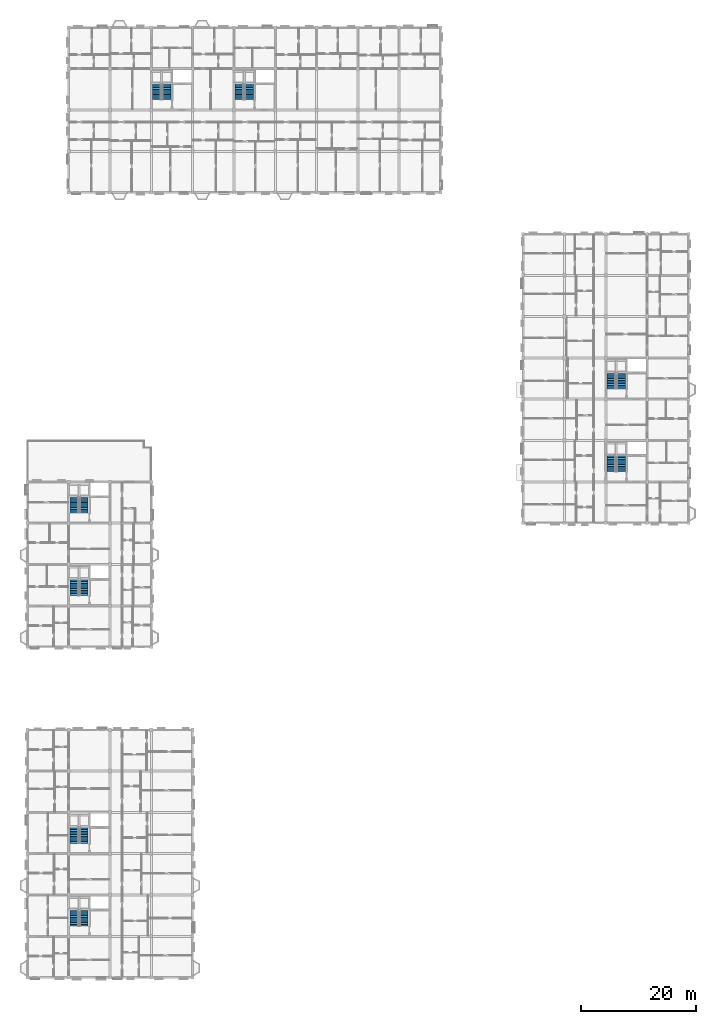
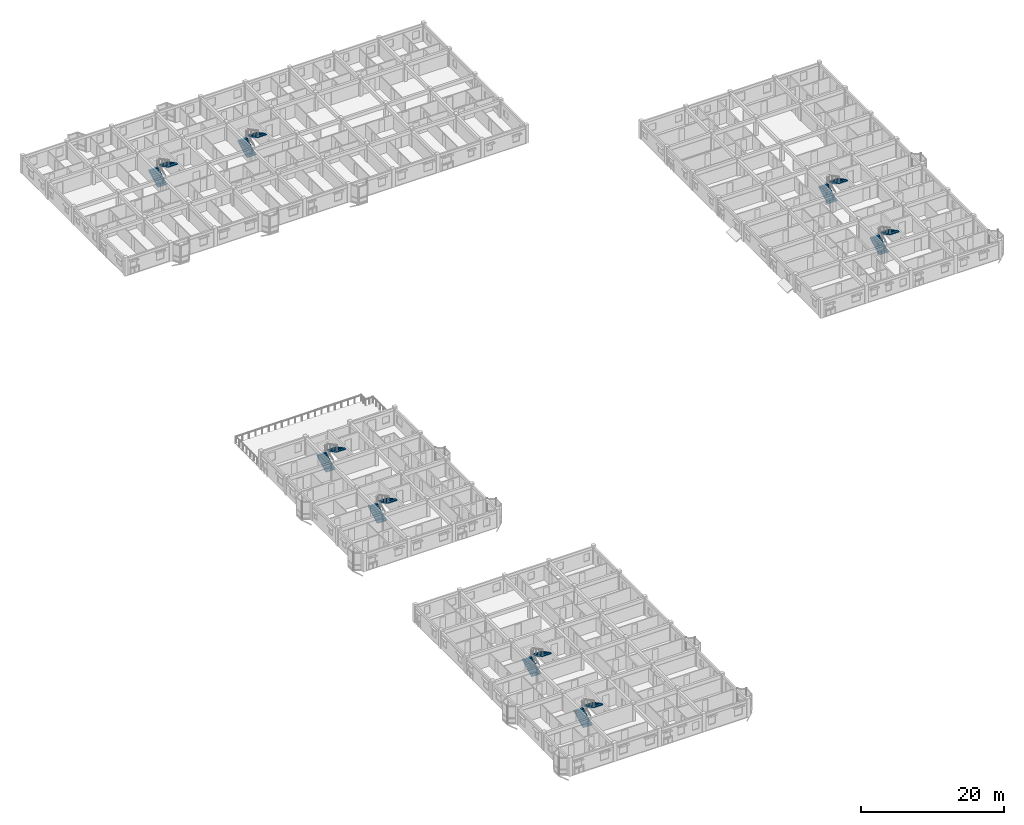
# One storey, part 68 of 75: 16 stair flights, 8 elements without a shape of their own.
"""IFC4 building model written with IfcOpenShell, lengths in metres."""

from ifc_helpers import new_model, si_unit, direction, frame, origin, place, context, subcontext, project, spatial, polyline, outline, extrude, material, type_object, element, aggregate, save


model = new_model("IFC4")

# Units and contexts
model_context = context("Model", 3, precision=1e-05, world=origin(), true_north=direction((0.0, 1.0)))
body_context = subcontext(model_context, "Body", "Model", "MODEL_VIEW")
ifc_project = project(units=[si_unit("LENGTHUNIT", "METRE"), si_unit("AREAUNIT", "SQUARE_METRE"), si_unit("VOLUMEUNIT", "CUBIC_METRE"), si_unit("PLANEANGLEUNIT", "RADIAN"), si_unit("MASSUNIT", "GRAM", prefix="KILO"), si_unit("THERMODYNAMICTEMPERATUREUNIT", "KELVIN"), si_unit("POWERUNIT", "WATT")], contexts=[model_context])

# Site, building, storey
site_placement = place(None, origin())
site = spatial("IfcSite", under=ifc_project, at=site_placement, CompositionType="ELEMENT")
building_placement = place(site_placement, origin())
building = spatial("IfcBuilding", under=site, at=building_placement, Name="Tavuni Mirador Residences", CompositionType="ELEMENT")
storey_placement = place(building_placement, frame((0.0, 0.0, 20.25)))
storey = spatial("IfcBuildingStorey", under=building, at=storey_placement, Name="L06", CompositionType="ELEMENT", Elevation=20.25)

# Stair, stair flights
ifc_material = material(Name="Precast concrete C40/50", Category="concrete")
stair_type = type_object("IfcStairType", Name="STT-TYP", PredefinedType="HALF_TURN_STAIR", material=ifc_material)
stair_1_placement = place(storey_placement, origin())
stair_1 = element("IfcStair", 1, at=stair_1_placement, inside=storey, type_object=stair_type, Name="Protected exit stair ST1 (L06)", PredefinedType="HALF_TURN_STAIR")
stair_flight_type = type_object("IfcStairFlightType", Name="SFT-1500", PredefinedType="STRAIGHT", material=ifc_material)
stair_flight_1_placement = place(storey_placement, frame((11.75, 16.199951171875, 0.0), z_axis=(0.0, 0.0, 1.0), x_axis=(0.0, 1.0, 0.0)))
stair_flight_1 = element("IfcStairFlight", 2, at=stair_flight_1_placement, type_object=stair_flight_type, Name="ST1 flight 1", NumberOfRisers=10, NumberOfTreads=9, PredefinedType="STRAIGHT", RiserHeight=0.1575, TreadLength=0.3, context=body_context, shape_type="SweptSolid", body=[
    extrude(outline(polyline([(0.0, 0.0), (0.0, 0.157470703125), (0.300048828125, 0.157470703125), (0.300048828125, 0.31494140625), (0.60009765625, 0.31494140625), (0.60009765625, 0.472412109375), (0.89990234375, 0.472412109375), (0.89990234375, 0.6298828125), (1.199951171875, 0.6298828125), (1.199951171875, 0.78759765625), (1.5, 0.78759765625), (1.5, 0.945068359375), (1.800048828125, 0.945068359375), (1.800048828125, 1.1025390625), (2.10009765625, 1.1025390625), (2.10009765625, 1.260009765625), (2.39990234375, 1.260009765625), (2.39990234375, 1.41748046875), (2.699951171875, 1.41748046875), (2.699951171875, 1.574951171875), (2.699951171875, 1.23681640625), (0.343994140625, 0.0), (0.0, 0.0)])), frame((0.0, 0.75, 0.0), z_axis=(0.0, -1.0, 0.0), x_axis=(1.0, 0.0, 0.0)), (0.0, 0.0, 1.0), 1.5),
])
stair_flight_2_placement = place(storey_placement, frame((13.449951171875, 18.89990234375, 1.574951171875), z_axis=(0.0, 0.0, 1.0), x_axis=(0.0, -1.0, 0.0)))
stair_flight_2 = element("IfcStairFlight", 3, at=stair_flight_2_placement, type_object=stair_flight_type, Name="ST1 flight 2", NumberOfRisers=10, NumberOfTreads=9, PredefinedType="STRAIGHT", RiserHeight=0.1575, TreadLength=0.3, context=body_context, shape_type="SweptSolid", body=[
    extrude(outline(polyline([(0.0, 0.0), (0.0, 0.157470703125), (0.300048828125, 0.157470703125), (0.300048828125, 0.31494140625), (0.60009765625, 0.31494140625), (0.60009765625, 0.472412109375), (0.89990234375, 0.472412109375), (0.89990234375, 0.6298828125), (1.199951171875, 0.6298828125), (1.199951171875, 0.78759765625), (1.5, 0.78759765625), (1.5, 0.945068359375), (1.800048828125, 0.945068359375), (1.800048828125, 1.1025390625), (2.10009765625, 1.1025390625), (2.10009765625, 1.260009765625), (2.39990234375, 1.260009765625), (2.39990234375, 1.41748046875), (2.699951171875, 1.41748046875), (2.699951171875, 1.574951171875), (2.699951171875, 1.23681640625), (0.343994140625, 0.0), (0.0, 0.0)])), frame((0.0, 0.75, 0.0), z_axis=(0.0, -1.0, 0.0), x_axis=(1.0, 0.0, 0.0)), (0.0, 0.0, 1.0), 1.5),
])
aggregate(stair_1, [stair_flight_1, stair_flight_2])

stair_2_placement = place(storey_placement, origin())
stair_2 = element("IfcStair", 4, at=stair_2_placement, inside=storey, type_object=stair_type, Name="Protected exit stair ST2 (L06)", PredefinedType="HALF_TURN_STAIR")
stair_flight_3_placement = place(storey_placement, frame((11.75, 30.60009765625, 0.0), z_axis=(0.0, 0.0, 1.0), x_axis=(0.0, 1.0, 0.0)))
stair_flight_3 = element("IfcStairFlight", 5, at=stair_flight_3_placement, type_object=stair_flight_type, Name="ST2 flight 1", NumberOfRisers=10, NumberOfTreads=9, PredefinedType="STRAIGHT", RiserHeight=0.1575, TreadLength=0.3, context=body_context, shape_type="SweptSolid", body=[
    extrude(outline(polyline([(0.0, 0.0), (0.0, 0.157470703125), (0.300048828125, 0.157470703125), (0.300048828125, 0.31494140625), (0.60009765625, 0.31494140625), (0.60009765625, 0.472412109375), (0.89990234375, 0.472412109375), (0.89990234375, 0.6298828125), (1.199951171875, 0.6298828125), (1.199951171875, 0.78759765625), (1.5, 0.78759765625), (1.5, 0.945068359375), (1.800048828125, 0.945068359375), (1.800048828125, 1.1025390625), (2.10009765625, 1.1025390625), (2.10009765625, 1.260009765625), (2.39990234375, 1.260009765625), (2.39990234375, 1.41748046875), (2.699951171875, 1.41748046875), (2.699951171875, 1.574951171875), (2.699951171875, 1.23681640625), (0.343994140625, 0.0), (0.0, 0.0)])), frame((0.0, 0.75, 0.0), z_axis=(0.0, -1.0, 0.0), x_axis=(1.0, 0.0, 0.0)), (0.0, 0.0, 1.0), 1.5),
])
stair_flight_4_placement = place(storey_placement, frame((13.449951171875, 33.300048828125, 1.574951171875), z_axis=(0.0, 0.0, 1.0), x_axis=(0.0, -1.0, 0.0)))
stair_flight_4 = element("IfcStairFlight", 6, at=stair_flight_4_placement, type_object=stair_flight_type, Name="ST2 flight 2", NumberOfRisers=10, NumberOfTreads=9, PredefinedType="STRAIGHT", RiserHeight=0.1575, TreadLength=0.3, context=body_context, shape_type="SweptSolid", body=[
    extrude(outline(polyline([(0.0, 0.0), (0.0, 0.157470703125), (0.300048828125, 0.157470703125), (0.300048828125, 0.31494140625), (0.60009765625, 0.31494140625), (0.60009765625, 0.472412109375), (0.89990234375, 0.472412109375), (0.89990234375, 0.6298828125), (1.199951171875, 0.6298828125), (1.199951171875, 0.78759765625), (1.5, 0.78759765625), (1.5, 0.945068359375), (1.800048828125, 0.945068359375), (1.800048828125, 1.1025390625), (2.10009765625, 1.1025390625), (2.10009765625, 1.260009765625), (2.39990234375, 1.260009765625), (2.39990234375, 1.41748046875), (2.699951171875, 1.41748046875), (2.699951171875, 1.574951171875), (2.699951171875, 1.23681640625), (0.343994140625, 0.0), (0.0, 0.0)])), frame((0.0, 0.75, 0.0), z_axis=(0.0, -1.0, 0.0), x_axis=(1.0, 0.0, 0.0)), (0.0, 0.0, 1.0), 1.5),
])
aggregate(stair_2, [stair_flight_3, stair_flight_4])

stair_3_placement = place(storey_placement, origin())
stair_3 = element("IfcStair", 7, at=stair_3_placement, inside=storey, type_object=stair_type, Name="Protected exit stair ST3 (L06)", PredefinedType="HALF_TURN_STAIR")
stair_flight_5_placement = place(storey_placement, frame((11.75, 73.800048828125, 0.0), z_axis=(0.0, 0.0, 1.0), x_axis=(0.0, 1.0, 0.0)))
stair_flight_5 = element("IfcStairFlight", 8, at=stair_flight_5_placement, type_object=stair_flight_type, Name="ST3 flight 1", NumberOfRisers=10, NumberOfTreads=9, PredefinedType="STRAIGHT", RiserHeight=0.1575, TreadLength=0.3, context=body_context, shape_type="SweptSolid", body=[
    extrude(outline(polyline([(0.0, 0.0), (0.0, 0.157470703125), (0.300048828125, 0.157470703125), (0.300048828125, 0.31494140625), (0.60009765625, 0.31494140625), (0.60009765625, 0.472412109375), (0.89990234375, 0.472412109375), (0.89990234375, 0.6298828125), (1.199951171875, 0.6298828125), (1.199951171875, 0.78759765625), (1.5, 0.78759765625), (1.5, 0.945068359375), (1.800048828125, 0.945068359375), (1.800048828125, 1.1025390625), (2.10009765625, 1.1025390625), (2.10009765625, 1.260009765625), (2.39990234375, 1.260009765625), (2.39990234375, 1.41748046875), (2.699951171875, 1.41748046875), (2.699951171875, 1.574951171875), (2.699951171875, 1.23681640625), (0.343994140625, 0.0), (0.0, 0.0)])), frame((0.0, 0.75, 0.0), z_axis=(0.0, -1.0, 0.0), x_axis=(1.0, 0.0, 0.0)), (0.0, 0.0, 1.0), 1.5),
])
stair_flight_6_placement = place(storey_placement, frame((13.449951171875, 76.5, 1.574951171875), z_axis=(0.0, 0.0, 1.0), x_axis=(0.0, -1.0, 0.0)))
stair_flight_6 = element("IfcStairFlight", 9, at=stair_flight_6_placement, type_object=stair_flight_type, Name="ST3 flight 2", NumberOfRisers=10, NumberOfTreads=9, PredefinedType="STRAIGHT", RiserHeight=0.1575, TreadLength=0.3, context=body_context, shape_type="SweptSolid", body=[
    extrude(outline(polyline([(0.0, 0.0), (0.0, 0.157470703125), (0.300048828125, 0.157470703125), (0.300048828125, 0.31494140625), (0.60009765625, 0.31494140625), (0.60009765625, 0.472412109375), (0.89990234375, 0.472412109375), (0.89990234375, 0.6298828125), (1.199951171875, 0.6298828125), (1.199951171875, 0.78759765625), (1.5, 0.78759765625), (1.5, 0.945068359375), (1.800048828125, 0.945068359375), (1.800048828125, 1.1025390625), (2.10009765625, 1.1025390625), (2.10009765625, 1.260009765625), (2.39990234375, 1.260009765625), (2.39990234375, 1.41748046875), (2.699951171875, 1.41748046875), (2.699951171875, 1.574951171875), (2.699951171875, 1.23681640625), (0.343994140625, 0.0), (0.0, 0.0)])), frame((0.0, 0.75, 0.0), z_axis=(0.0, -1.0, 0.0), x_axis=(1.0, 0.0, 0.0)), (0.0, 0.0, 1.0), 1.5),
])
aggregate(stair_3, [stair_flight_5, stair_flight_6])

stair_4_placement = place(storey_placement, origin())
stair_4 = element("IfcStair", 10, at=stair_4_placement, inside=storey, type_object=stair_type, Name="Protected exit stair ST4 (L06)", PredefinedType="HALF_TURN_STAIR")
stair_flight_7_placement = place(storey_placement, frame((11.75, 88.199951171875, 0.0), z_axis=(0.0, 0.0, 1.0), x_axis=(0.0, 1.0, 0.0)))
stair_flight_7 = element("IfcStairFlight", 11, at=stair_flight_7_placement, type_object=stair_flight_type, Name="ST4 flight 1", NumberOfRisers=10, NumberOfTreads=9, PredefinedType="STRAIGHT", RiserHeight=0.1575, TreadLength=0.3, context=body_context, shape_type="SweptSolid", body=[
    extrude(outline(polyline([(0.0, 0.0), (0.0, 0.157470703125), (0.300048828125, 0.157470703125), (0.300048828125, 0.31494140625), (0.60009765625, 0.31494140625), (0.60009765625, 0.472412109375), (0.89990234375, 0.472412109375), (0.89990234375, 0.6298828125), (1.199951171875, 0.6298828125), (1.199951171875, 0.78759765625), (1.5, 0.78759765625), (1.5, 0.945068359375), (1.800048828125, 0.945068359375), (1.800048828125, 1.1025390625), (2.10009765625, 1.1025390625), (2.10009765625, 1.260009765625), (2.39990234375, 1.260009765625), (2.39990234375, 1.41748046875), (2.699951171875, 1.41748046875), (2.699951171875, 1.574951171875), (2.699951171875, 1.23681640625), (0.343994140625, 0.0), (0.0, 0.0)])), frame((0.0, 0.75, 0.0), z_axis=(0.0, -1.0, 0.0), x_axis=(1.0, 0.0, 0.0)), (0.0, 0.0, 1.0), 1.5),
])
stair_flight_8_placement = place(storey_placement, frame((13.449951171875, 90.89990234375, 1.574951171875), z_axis=(0.0, 0.0, 1.0), x_axis=(0.0, -1.0, 0.0)))
stair_flight_8 = element("IfcStairFlight", 12, at=stair_flight_8_placement, type_object=stair_flight_type, Name="ST4 flight 2", NumberOfRisers=10, NumberOfTreads=9, PredefinedType="STRAIGHT", RiserHeight=0.1575, TreadLength=0.3, context=body_context, shape_type="SweptSolid", body=[
    extrude(outline(polyline([(0.0, 0.0), (0.0, 0.157470703125), (0.300048828125, 0.157470703125), (0.300048828125, 0.31494140625), (0.60009765625, 0.31494140625), (0.60009765625, 0.472412109375), (0.89990234375, 0.472412109375), (0.89990234375, 0.6298828125), (1.199951171875, 0.6298828125), (1.199951171875, 0.78759765625), (1.5, 0.78759765625), (1.5, 0.945068359375), (1.800048828125, 0.945068359375), (1.800048828125, 1.1025390625), (2.10009765625, 1.1025390625), (2.10009765625, 1.260009765625), (2.39990234375, 1.260009765625), (2.39990234375, 1.41748046875), (2.699951171875, 1.41748046875), (2.699951171875, 1.574951171875), (2.699951171875, 1.23681640625), (0.343994140625, 0.0), (0.0, 0.0)])), frame((0.0, 0.75, 0.0), z_axis=(0.0, -1.0, 0.0), x_axis=(1.0, 0.0, 0.0)), (0.0, 0.0, 1.0), 1.5),
])
aggregate(stair_4, [stair_flight_7, stair_flight_8])

stair_5_placement = place(storey_placement, origin())
stair_5 = element("IfcStair", 13, at=stair_5_placement, inside=storey, type_object=stair_type, Name="Protected exit stair ST5 (L06)", PredefinedType="HALF_TURN_STAIR")
stair_flight_9_placement = place(storey_placement, frame((26.14990234375, 160.199951171875, 0.0), z_axis=(0.0, 0.0, 1.0), x_axis=(0.0, 1.0, 0.0)))
stair_flight_9 = element("IfcStairFlight", 14, at=stair_flight_9_placement, type_object=stair_flight_type, Name="ST5 flight 1", NumberOfRisers=10, NumberOfTreads=9, PredefinedType="STRAIGHT", RiserHeight=0.1575, TreadLength=0.3, context=body_context, shape_type="SweptSolid", body=[
    extrude(outline(polyline([(0.0, 0.0), (0.0, 0.157470703125), (0.300048828125, 0.157470703125), (0.300048828125, 0.31494140625), (0.60009765625, 0.31494140625), (0.60009765625, 0.472412109375), (0.89990234375, 0.472412109375), (0.89990234375, 0.6298828125), (1.199951171875, 0.6298828125), (1.199951171875, 0.78759765625), (1.5, 0.78759765625), (1.5, 0.945068359375), (1.800048828125, 0.945068359375), (1.800048828125, 1.1025390625), (2.10009765625, 1.1025390625), (2.10009765625, 1.260009765625), (2.39990234375, 1.260009765625), (2.39990234375, 1.41748046875), (2.699951171875, 1.41748046875), (2.699951171875, 1.574951171875), (2.699951171875, 1.23681640625), (0.343994140625, 0.0), (0.0, 0.0)])), frame((0.0, 0.75, 0.0), z_axis=(0.0, -1.0, 0.0), x_axis=(1.0, 0.0, 0.0)), (0.0, 0.0, 1.0), 1.5),
])
stair_flight_10_placement = place(storey_placement, frame((27.85009765625, 162.89990234375, 1.574951171875), z_axis=(0.0, 0.0, 1.0), x_axis=(0.0, -1.0, 0.0)))
stair_flight_10 = element("IfcStairFlight", 15, at=stair_flight_10_placement, type_object=stair_flight_type, Name="ST5 flight 2", NumberOfRisers=10, NumberOfTreads=9, PredefinedType="STRAIGHT", RiserHeight=0.1575, TreadLength=0.3, context=body_context, shape_type="SweptSolid", body=[
    extrude(outline(polyline([(0.0, 0.0), (0.0, 0.157470703125), (0.300048828125, 0.157470703125), (0.300048828125, 0.31494140625), (0.60009765625, 0.31494140625), (0.60009765625, 0.472412109375), (0.89990234375, 0.472412109375), (0.89990234375, 0.6298828125), (1.199951171875, 0.6298828125), (1.199951171875, 0.78759765625), (1.5, 0.78759765625), (1.5, 0.945068359375), (1.800048828125, 0.945068359375), (1.800048828125, 1.1025390625), (2.10009765625, 1.1025390625), (2.10009765625, 1.260009765625), (2.39990234375, 1.260009765625), (2.39990234375, 1.41748046875), (2.699951171875, 1.41748046875), (2.699951171875, 1.574951171875), (2.699951171875, 1.23681640625), (0.343994140625, 0.0), (0.0, 0.0)])), frame((0.0, 0.75, 0.0), z_axis=(0.0, -1.0, 0.0), x_axis=(1.0, 0.0, 0.0)), (0.0, 0.0, 1.0), 1.5),
])
aggregate(stair_5, [stair_flight_9, stair_flight_10])

stair_6_placement = place(storey_placement, origin())
stair_6 = element("IfcStair", 16, at=stair_6_placement, inside=storey, type_object=stair_type, Name="Protected exit stair ST6 (L06)", PredefinedType="HALF_TURN_STAIR")
stair_flight_11_placement = place(storey_placement, frame((40.550048828125, 160.199951171875, 0.0), z_axis=(0.0, 0.0, 1.0), x_axis=(0.0, 1.0, 0.0)))
stair_flight_11 = element("IfcStairFlight", 17, at=stair_flight_11_placement, type_object=stair_flight_type, Name="ST6 flight 1", NumberOfRisers=10, NumberOfTreads=9, PredefinedType="STRAIGHT", RiserHeight=0.1575, TreadLength=0.3, context=body_context, shape_type="SweptSolid", body=[
    extrude(outline(polyline([(0.0, 0.0), (0.0, 0.157470703125), (0.300048828125, 0.157470703125), (0.300048828125, 0.31494140625), (0.60009765625, 0.31494140625), (0.60009765625, 0.472412109375), (0.89990234375, 0.472412109375), (0.89990234375, 0.6298828125), (1.199951171875, 0.6298828125), (1.199951171875, 0.78759765625), (1.5, 0.78759765625), (1.5, 0.945068359375), (1.800048828125, 0.945068359375), (1.800048828125, 1.1025390625), (2.10009765625, 1.1025390625), (2.10009765625, 1.260009765625), (2.39990234375, 1.260009765625), (2.39990234375, 1.41748046875), (2.699951171875, 1.41748046875), (2.699951171875, 1.574951171875), (2.699951171875, 1.23681640625), (0.343994140625, 0.0), (0.0, 0.0)])), frame((0.0, 0.75, 0.0), z_axis=(0.0, -1.0, 0.0), x_axis=(1.0, 0.0, 0.0)), (0.0, 0.0, 1.0), 1.5),
])
stair_flight_12_placement = place(storey_placement, frame((42.25, 162.89990234375, 1.574951171875), z_axis=(0.0, 0.0, 1.0), x_axis=(0.0, -1.0, 0.0)))
stair_flight_12 = element("IfcStairFlight", 18, at=stair_flight_12_placement, type_object=stair_flight_type, Name="ST6 flight 2", NumberOfRisers=10, NumberOfTreads=9, PredefinedType="STRAIGHT", RiserHeight=0.1575, TreadLength=0.3, context=body_context, shape_type="SweptSolid", body=[
    extrude(outline(polyline([(0.0, 0.0), (0.0, 0.157470703125), (0.300048828125, 0.157470703125), (0.300048828125, 0.31494140625), (0.60009765625, 0.31494140625), (0.60009765625, 0.472412109375), (0.89990234375, 0.472412109375), (0.89990234375, 0.6298828125), (1.199951171875, 0.6298828125), (1.199951171875, 0.78759765625), (1.5, 0.78759765625), (1.5, 0.945068359375), (1.800048828125, 0.945068359375), (1.800048828125, 1.1025390625), (2.10009765625, 1.1025390625), (2.10009765625, 1.260009765625), (2.39990234375, 1.260009765625), (2.39990234375, 1.41748046875), (2.699951171875, 1.41748046875), (2.699951171875, 1.574951171875), (2.699951171875, 1.23681640625), (0.343994140625, 0.0), (0.0, 0.0)])), frame((0.0, 0.75, 0.0), z_axis=(0.0, -1.0, 0.0), x_axis=(1.0, 0.0, 0.0)), (0.0, 0.0, 1.0), 1.5),
])
aggregate(stair_6, [stair_flight_11, stair_flight_12])

stair_7_placement = place(storey_placement, origin())
stair_7 = element("IfcStair", 19, at=stair_7_placement, inside=storey, type_object=stair_type, Name="Protected exit stair ST7 (L06)", PredefinedType="HALF_TURN_STAIR")
stair_flight_13_placement = place(storey_placement, frame((105.35009765625, 95.39990234375, 0.0), z_axis=(0.0, 0.0, 1.0), x_axis=(0.0, 1.0, 0.0)))
stair_flight_13 = element("IfcStairFlight", 20, at=stair_flight_13_placement, type_object=stair_flight_type, Name="ST7 flight 1", NumberOfRisers=10, NumberOfTreads=9, PredefinedType="STRAIGHT", RiserHeight=0.1575, TreadLength=0.3, context=body_context, shape_type="SweptSolid", body=[
    extrude(outline(polyline([(0.0, 0.0), (0.0, 0.157470703125), (0.300048828125, 0.157470703125), (0.300048828125, 0.31494140625), (0.60009765625, 0.31494140625), (0.60009765625, 0.472412109375), (0.89990234375, 0.472412109375), (0.89990234375, 0.6298828125), (1.199951171875, 0.6298828125), (1.199951171875, 0.78759765625), (1.5, 0.78759765625), (1.5, 0.945068359375), (1.800048828125, 0.945068359375), (1.800048828125, 1.1025390625), (2.10009765625, 1.1025390625), (2.10009765625, 1.260009765625), (2.39990234375, 1.260009765625), (2.39990234375, 1.41748046875), (2.699951171875, 1.41748046875), (2.699951171875, 1.574951171875), (2.699951171875, 1.23681640625), (0.343994140625, 0.0), (0.0, 0.0)])), frame((0.0, 0.75, 0.0), z_axis=(0.0, -1.0, 0.0), x_axis=(1.0, 0.0, 0.0)), (0.0, 0.0, 1.0), 1.5),
])
stair_flight_14_placement = place(storey_placement, frame((107.050048828125, 98.10009765625, 1.574951171875), z_axis=(0.0, 0.0, 1.0), x_axis=(0.0, -1.0, 0.0)))
stair_flight_14 = element("IfcStairFlight", 21, at=stair_flight_14_placement, type_object=stair_flight_type, Name="ST7 flight 2", NumberOfRisers=10, NumberOfTreads=9, PredefinedType="STRAIGHT", RiserHeight=0.1575, TreadLength=0.3, context=body_context, shape_type="SweptSolid", body=[
    extrude(outline(polyline([(0.0, 0.0), (0.0, 0.157470703125), (0.300048828125, 0.157470703125), (0.300048828125, 0.31494140625), (0.60009765625, 0.31494140625), (0.60009765625, 0.472412109375), (0.89990234375, 0.472412109375), (0.89990234375, 0.6298828125), (1.199951171875, 0.6298828125), (1.199951171875, 0.78759765625), (1.5, 0.78759765625), (1.5, 0.945068359375), (1.800048828125, 0.945068359375), (1.800048828125, 1.1025390625), (2.10009765625, 1.1025390625), (2.10009765625, 1.260009765625), (2.39990234375, 1.260009765625), (2.39990234375, 1.41748046875), (2.699951171875, 1.41748046875), (2.699951171875, 1.574951171875), (2.699951171875, 1.23681640625), (0.343994140625, 0.0), (0.0, 0.0)])), frame((0.0, 0.75, 0.0), z_axis=(0.0, -1.0, 0.0), x_axis=(1.0, 0.0, 0.0)), (0.0, 0.0, 1.0), 1.5),
])
aggregate(stair_7, [stair_flight_13, stair_flight_14])

stair_8_placement = place(storey_placement, origin())
stair_8 = element("IfcStair", 22, at=stair_8_placement, inside=storey, type_object=stair_type, Name="Protected exit stair ST8 (L06)", PredefinedType="HALF_TURN_STAIR")
stair_flight_15_placement = place(storey_placement, frame((105.35009765625, 109.800048828125, 0.0), z_axis=(0.0, 0.0, 1.0), x_axis=(0.0, 1.0, 0.0)))
stair_flight_15 = element("IfcStairFlight", 23, at=stair_flight_15_placement, type_object=stair_flight_type, Name="ST8 flight 1", NumberOfRisers=10, NumberOfTreads=9, PredefinedType="STRAIGHT", RiserHeight=0.1575, TreadLength=0.3, context=body_context, shape_type="SweptSolid", body=[
    extrude(outline(polyline([(0.0, 0.0), (0.0, 0.157470703125), (0.300048828125, 0.157470703125), (0.300048828125, 0.31494140625), (0.60009765625, 0.31494140625), (0.60009765625, 0.472412109375), (0.89990234375, 0.472412109375), (0.89990234375, 0.6298828125), (1.199951171875, 0.6298828125), (1.199951171875, 0.78759765625), (1.5, 0.78759765625), (1.5, 0.945068359375), (1.800048828125, 0.945068359375), (1.800048828125, 1.1025390625), (2.10009765625, 1.1025390625), (2.10009765625, 1.260009765625), (2.39990234375, 1.260009765625), (2.39990234375, 1.41748046875), (2.699951171875, 1.41748046875), (2.699951171875, 1.574951171875), (2.699951171875, 1.23681640625), (0.343994140625, 0.0), (0.0, 0.0)])), frame((0.0, 0.75, 0.0), z_axis=(0.0, -1.0, 0.0), x_axis=(1.0, 0.0, 0.0)), (0.0, 0.0, 1.0), 1.5),
])
stair_flight_16_placement = place(storey_placement, frame((107.050048828125, 112.5, 1.574951171875), z_axis=(0.0, 0.0, 1.0), x_axis=(0.0, -1.0, 0.0)))
stair_flight_16 = element("IfcStairFlight", 24, at=stair_flight_16_placement, type_object=stair_flight_type, Name="ST8 flight 2", NumberOfRisers=10, NumberOfTreads=9, PredefinedType="STRAIGHT", RiserHeight=0.1575, TreadLength=0.3, context=body_context, shape_type="SweptSolid", body=[
    extrude(outline(polyline([(0.0, 0.0), (0.0, 0.157470703125), (0.300048828125, 0.157470703125), (0.300048828125, 0.31494140625), (0.60009765625, 0.31494140625), (0.60009765625, 0.472412109375), (0.89990234375, 0.472412109375), (0.89990234375, 0.6298828125), (1.199951171875, 0.6298828125), (1.199951171875, 0.78759765625), (1.5, 0.78759765625), (1.5, 0.945068359375), (1.800048828125, 0.945068359375), (1.800048828125, 1.1025390625), (2.10009765625, 1.1025390625), (2.10009765625, 1.260009765625), (2.39990234375, 1.260009765625), (2.39990234375, 1.41748046875), (2.699951171875, 1.41748046875), (2.699951171875, 1.574951171875), (2.699951171875, 1.23681640625), (0.343994140625, 0.0), (0.0, 0.0)])), frame((0.0, 0.75, 0.0), z_axis=(0.0, -1.0, 0.0), x_axis=(1.0, 0.0, 0.0)), (0.0, 0.0, 1.0), 1.5),
])
aggregate(stair_8, [stair_flight_15, stair_flight_16])

save(model, "model.ifc")
